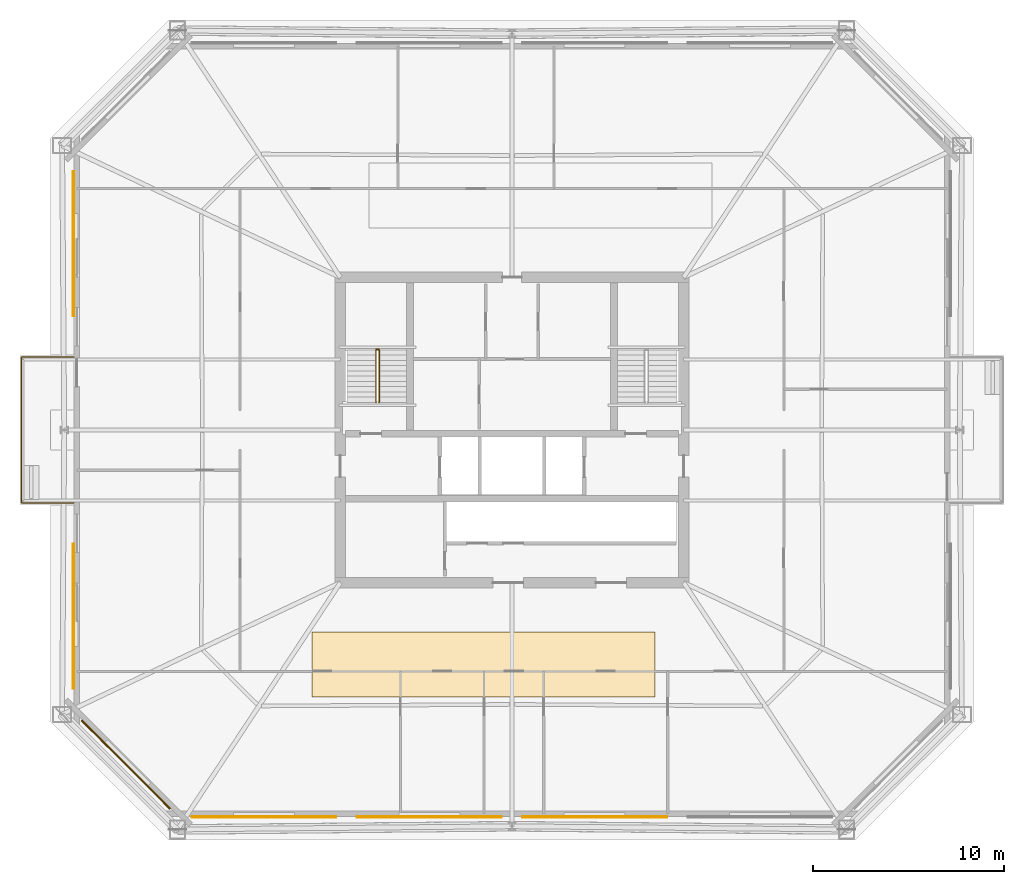
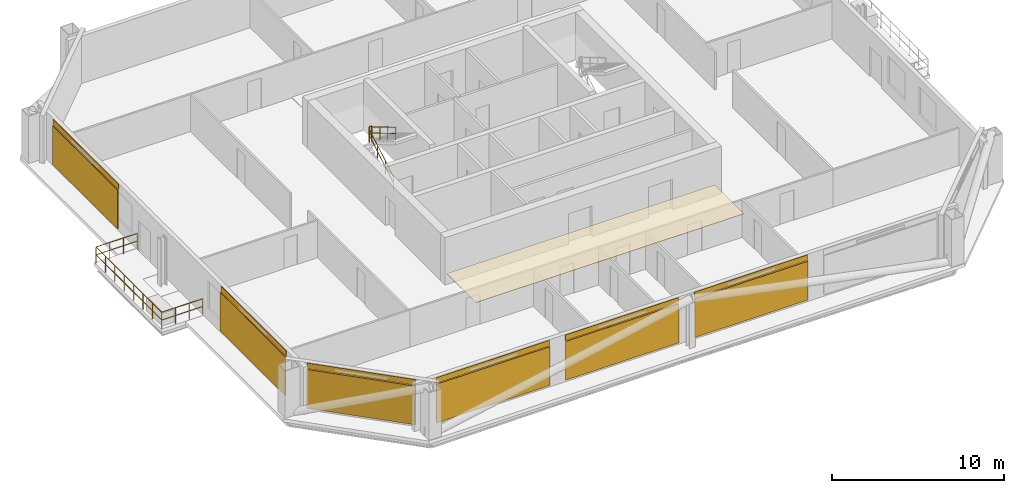
# One storey, part 6 of 8: 7 coverings, 6 shading devices, 4 railings.
"""IFC4 building model written with IfcOpenShell, lengths in metres."""

from ifc_helpers import new_model, si_unit, direction, frame, origin, origin_2d, place, context, subcontext, project, spatial, polyline, rectangle, circle, outline, extrude, material, layer, layer_set, type_object, element, save


model = new_model("IFC4")

# Units and contexts
model_context = context("Model", 3, precision=1e-05, world=origin(), true_north=direction((0.0, 1.0)))
body_context = subcontext(model_context, "Body", "Model", "MODEL_VIEW")
ifc_project = project(units=[si_unit("LENGTHUNIT", "METRE"), si_unit("AREAUNIT", "SQUARE_METRE"), si_unit("VOLUMEUNIT", "CUBIC_METRE"), si_unit("PLANEANGLEUNIT", "RADIAN"), si_unit("MASSUNIT", "GRAM", prefix="KILO")], contexts=[model_context])

# Site, building, storey
site_placement = place(None, origin())
site = spatial("IfcSite", under=ifc_project, at=site_placement, CompositionType="ELEMENT")
building_placement = place(site_placement, origin())
building = spatial("IfcBuilding", under=site, at=building_placement, Name="Caelvoria Tower", CompositionType="ELEMENT")
storey_placement = place(building_placement, frame((0.0, 0.0, 138.39990234375)))
storey = spatial("IfcBuildingStorey", under=building, at=storey_placement, Name="L36", CompositionType="ELEMENT", Elevation=138.39990234375)

# Railing
ifc_material_1 = material(Name="Bronze Anodised Aluminium and Stainless Steel", Category="steel")
railing_type_1 = type_object("IfcRailingType", Name="Exterior Terrace and Balcony Guardrail 1150", PredefinedType="GUARDRAIL", material=ifc_material_1)
railing_1_placement = place(storey_placement, frame((23.0400390625, 28.179931640625, 0.0)))
element("IfcRailing", 1, at=railing_1_placement, inside=storey, type_object=railing_type_1, Name="Tree Balcony Guardrail TB-L36-W", PredefinedType="GUARDRAIL", context=body_context, shape_type="SweptSolid", body=[
    extrude(circle(Radius=0.02392578125, at=origin_2d()), frame((0.0, 0.0, 1.1259765625), z_axis=(-1.0, 0.0, 0.0), x_axis=(0.0, -1.0, 0.0)), (0.0, 0.0, 1.0), 2.760009765625),
    extrude(circle(Radius=0.02392578125, at=origin_2d()), frame((0.0, 0.0, 0.574951171875), z_axis=(-1.0, 0.0, 0.0), x_axis=(0.0, -1.0, 0.0)), (0.0, 0.0, 1.0), 2.760009765625),
    extrude(circle(Radius=0.02392578125, at=origin_2d()), frame((-2.760009765625, 0.0, 1.1259765625), z_axis=(0.0, 1.0, 0.0), x_axis=(-1.0, 0.0, 0.0)), (0.0, 0.0, 1.0), 7.64013671875),
    extrude(circle(Radius=0.02392578125, at=origin_2d()), frame((-2.760009765625, 0.0, 0.574951171875), z_axis=(0.0, 1.0, 0.0), x_axis=(-1.0, 0.0, 0.0)), (0.0, 0.0, 1.0), 7.64013671875),
    extrude(circle(Radius=0.02392578125, at=origin_2d()), frame((-2.760009765625, 7.64013671875, 1.1259765625), z_axis=(1.0, 0.0, 0.0), x_axis=(0.0, 1.0, 0.0)), (0.0, 0.0, 1.0), 2.760009765625),
    extrude(circle(Radius=0.02392578125, at=origin_2d()), frame((-2.760009765625, 7.64013671875, 0.574951171875), z_axis=(1.0, 0.0, 0.0), x_axis=(0.0, 1.0, 0.0)), (0.0, 0.0, 1.0), 2.760009765625),
    extrude(circle(Radius=0.02099609375, at=origin_2d()), origin(), (0.0, 0.0, 1.0), 1.101806640625),
    extrude(circle(Radius=0.02099609375, at=origin_2d()), frame((-0.919921875, 0.0, 0.0)), (0.0, 0.0, 1.0), 1.101806640625),
    extrude(circle(Radius=0.02099609375, at=origin_2d()), frame((-1.840087890625, 0.0, 0.0)), (0.0, 0.0, 1.0), 1.101806640625),
    extrude(circle(Radius=0.02099609375, at=origin_2d()), frame((-2.760009765625, 0.0, 0.0)), (0.0, 0.0, 1.0), 1.101806640625),
    extrude(circle(Radius=0.02099609375, at=origin_2d()), frame((-2.760009765625, 1.091552734375, 0.0)), (0.0, 0.0, 1.0), 1.101806640625),
    extrude(circle(Radius=0.02099609375, at=origin_2d()), frame((-2.760009765625, 2.182861328125, 0.0)), (0.0, 0.0, 1.0), 1.101806640625),
    extrude(circle(Radius=0.02099609375, at=origin_2d()), frame((-2.760009765625, 3.2744140625, 0.0)), (0.0, 0.0, 1.0), 1.101806640625),
    extrude(circle(Radius=0.02099609375, at=origin_2d()), frame((-2.760009765625, 4.36572265625, 0.0)), (0.0, 0.0, 1.0), 1.101806640625),
    extrude(circle(Radius=0.02099609375, at=origin_2d()), frame((-2.760009765625, 5.457275390625, 0.0)), (0.0, 0.0, 1.0), 1.101806640625),
    extrude(circle(Radius=0.02099609375, at=origin_2d()), frame((-2.760009765625, 6.548583984375, 0.0)), (0.0, 0.0, 1.0), 1.101806640625),
    extrude(circle(Radius=0.02099609375, at=origin_2d()), frame((-2.760009765625, 7.64013671875, 0.0)), (0.0, 0.0, 1.0), 1.101806640625),
    extrude(circle(Radius=0.02099609375, at=origin_2d()), frame((-1.840087890625, 7.64013671875, 0.0)), (0.0, 0.0, 1.0), 1.101806640625),
    extrude(circle(Radius=0.02099609375, at=origin_2d()), frame((-0.919921875, 7.64013671875, 0.0)), (0.0, 0.0, 1.0), 1.101806640625),
    extrude(circle(Radius=0.02099609375, at=origin_2d()), frame((0.0, 7.64013671875, 0.0)), (0.0, 0.0, 1.0), 1.101806640625),
])

# Coverings
ifc_material_2 = material(Name="Acoustic Mineral Fibre Tile", Category="gypsum")
ifc_layer_1 = layer(ifc_material_2, 0.02490234375, Name="Acoustic Mineral Fibre Tile")
ifc_layer_set_1 = layer_set([ifc_layer_1], Name="Mineral-Fibre Acoustic Suspended Ceiling 25 - Acoustic Mineral Fibre Tile")
covering_type_1 = type_object("IfcCoveringType", Name="Mineral-Fibre Acoustic Suspended Ceiling 25", PredefinedType="CEILING", material=ifc_layer_set_1)
covering_1_placement = place(storey_placement, frame((0.0, 0.0, 2.635009765625)))
element("IfcCovering", 2, at=covering_1_placement, inside=storey, type_object=covering_type_1, Name="Suspended Acoustic Ceiling L36", PredefinedType="CEILING", context=body_context, shape_type="SweptSolid", body=[
    extrude(outline(polyline([(35.5, 18.0), (53.5, 18.0), (53.5, 21.39990234375), (35.5, 21.39990234375), (35.5, 18.0)])), origin(), (0.0, 0.0, 1.0), 0.025146484375),
])
ifc_material_3 = material(Name="Perforated Architectural Bronze Cladding Screen", Category="bronze")
ifc_layer_2 = layer(ifc_material_3, 0.0400390625, Name="Perforated Architectural Bronze Cladding Screen")
ifc_layer_set_2 = layer_set([ifc_layer_2], Name="Perforated Bronze Louvre Cladding Band 40 - Perforated Architectural Bronze Cladding Screen")
covering_type_2 = type_object("IfcCoveringType", Name="Perforated Bronze Louvre Cladding Band 40", PredefinedType="CLADDING", material=ifc_layer_set_2)
for number, where, z_axis, x_axis, name in (
    (3, (32.9951171875, 11.72802734375, 2.940185546875), (0.0, 0.0, 1.0), (1.0, 0.0, 0.0), "Perforated Bronze Screen Band L36-E0-00"),
    (4, (41.6650390625, 11.72802734375, 2.940185546875), (0.0, 0.0, 1.0), (1.0, 0.0, 0.0), "Perforated Bronze Screen Band L36-E0-01"),
    (5, (50.3349609375, 11.72802734375, 2.940185546875), (0.0, 0.0, 1.0), (1.0, 0.0, 0.0), "Perforated Bronze Screen Band L36-E0-02"),
    (6, (23.028076171875, 41.760009765625, 2.940185546875), (0.0, 0.0, 1.0), (0.0, -1.0, 0.0), "Perforated Bronze Screen Band L36-E6-00"),
    (7, (23.028076171875, 22.239990234375, 2.940185546875), (0.0, 0.0, 1.0), (0.0, -1.0, 0.0), "Perforated Bronze Screen Band L36-E6-02"),
):
    element("IfcCovering", number, at=place(storey_placement, frame(where, z_axis=z_axis, x_axis=x_axis)), inside=storey, type_object=covering_type_2, Name=name, PredefinedType="CLADDING", context=body_context, shape_type="SweptSolid", body=[
        extrude(rectangle(XDim=7.60009765625, YDim=0.0400390625, at=origin_2d()), origin(), (0.0, 0.0, 1.0), 0.39990234375),
    ])
covering_2_placement = place(storey_placement, frame((25.768310546875, 14.46826171875, 2.940185546875), z_axis=(0.0, 0.0, 1.0), x_axis=(0.707106781187, -0.707106781187, 0.0)))
element("IfcCovering", 8, at=covering_2_placement, inside=storey, type_object=covering_type_2, Name="Perforated Bronze Screen Band L36-E7-00", PredefinedType="CLADDING", context=body_context, shape_type="SweptSolid", body=[
    extrude(rectangle(XDim=6.55419921875, YDim=0.0400390625, at=origin_2d()), origin(), (0.0, 0.0, 1.0), 0.39990234375),
])

# Shading devices
ifc_material_4 = material(Name="Perforated Architectural Bronze Alloy Panel", Category="bronze")
ifc_layer_3 = layer(ifc_material_4, 0.044921875, Name="Perforated Architectural Bronze Alloy Panel")
ifc_layer_set_3 = layer_set([ifc_layer_3], Name="Perforated Bronze Solar Screen Panel SCREEN - Perforated Architectural Bronze Alloy Panel")
shading_device_type = type_object("IfcShadingDeviceType", Name="Perforated Bronze Solar Screen Panel SCREEN", PredefinedType="USERDEFINED", material=ifc_layer_set_3)
for number, where, z_axis, x_axis, name in (
    (9, (32.9951171875, 11.68505859375, 0.16015625), (0.0, 0.0, 1.0), (1.0, 0.0, 0.0), "Perforated Bronze Solar Screen L36-E0-00"),
    (10, (41.6650390625, 11.68505859375, 0.16015625), (0.0, 0.0, 1.0), (1.0, 0.0, 0.0), "Perforated Bronze Solar Screen L36-E0-01"),
    (11, (50.3349609375, 11.68505859375, 0.16015625), (0.0, 0.0, 1.0), (1.0, 0.0, 0.0), "Perforated Bronze Solar Screen L36-E0-02"),
    (12, (22.985107421875, 41.760009765625, 0.16015625), (0.0, 0.0, 1.0), (0.0, -1.0, 0.0), "Perforated Bronze Solar Screen L36-E6-00"),
    (13, (22.985107421875, 22.239990234375, 0.16015625), (0.0, 0.0, 1.0), (0.0, -1.0, 0.0), "Perforated Bronze Solar Screen L36-E6-02"),
):
    element("IfcShadingDevice", number, at=place(storey_placement, frame(where, z_axis=z_axis, x_axis=x_axis)), inside=storey, type_object=shading_device_type, Name=name, ObjectType="SCREEN", PredefinedType="USERDEFINED", context=body_context, shape_type="SweptSolid", body=[
        extrude(rectangle(XDim=7.60009765625, YDim=0.044921875, at=origin_2d()), origin(), (0.0, 0.0, 1.0), 2.75),
    ])
shading_device_placement = place(storey_placement, frame((25.73779296875, 14.43798828125, 0.16015625), z_axis=(0.0, 0.0, 1.0), x_axis=(0.707106781187, -0.707106781187, 0.0)))
element("IfcShadingDevice", 14, at=shading_device_placement, inside=storey, type_object=shading_device_type, Name="Perforated Bronze Solar Screen L36-E7-00", ObjectType="SCREEN", PredefinedType="USERDEFINED", context=body_context, shape_type="SweptSolid", body=[
    extrude(rectangle(XDim=6.55419921875, YDim=0.044921875, at=origin_2d()), origin(), (0.0, 0.0, 1.0), 2.75),
])

# Railings
ifc_material_5 = material(Name="Brushed Stainless Steel Tube", Category="steel")
railing_type_2 = type_object("IfcRailingType", Name="Stair Tubular Stainless Handrail 920", PredefinedType="HANDRAIL", material=ifc_material_5)
railing_2_placement = place(storey_placement, frame((38.8701171875, 33.449951171875, 0.163818359375)))
element("IfcRailing", 15, at=railing_2_placement, inside=storey, type_object=railing_type_2, Name="ST-01 Flight 1 Handrail L36", PredefinedType="HANDRAIL", context=body_context, shape_type="SweptSolid", body=[
    extrude(circle(Radius=0.02392578125, at=origin_2d()), frame((0.0, 0.0, 0.89599609375), z_axis=(0.0, 0.859385484447, 0.511328259656), x_axis=(-1.0, 0.0, 0.0)), (0.0, 0.0, 1.0), 3.199951171875),
    extrude(circle(Radius=0.02392578125, at=origin_2d()), frame((0.0, 0.0, 0.4599609375), z_axis=(0.0, 0.859385484447, 0.511328259656), x_axis=(-1.0, 0.0, 0.0)), (0.0, 0.0, 1.0), 3.199951171875),
    extrude(circle(Radius=0.02099609375, at=origin_2d()), origin(), (0.0, 0.0, 1.0), 0.871826171875),
    extrude(circle(Radius=0.02099609375, at=origin_2d()), frame((0.0, 0.916748046875, 0.54541015625)), (0.0, 0.0, 1.0), 0.871826171875),
    extrude(circle(Radius=0.02099609375, at=origin_2d()), frame((0.0, 1.833251953125, 1.0908203125)), (0.0, 0.0, 1.0), 0.871826171875),
    extrude(circle(Radius=0.02099609375, at=origin_2d()), frame((0.0, 2.75, 1.63623046875)), (0.0, 0.0, 1.0), 0.871826171875),
])
railing_3_placement = place(storey_placement, frame((39.030029296875, 36.199951171875, 1.963623046875)))
element("IfcRailing", 16, at=railing_3_placement, inside=storey, type_object=railing_type_2, Name="ST-01 Flight 2 Handrail L36", PredefinedType="HANDRAIL", context=body_context, shape_type="SweptSolid", body=[
    extrude(circle(Radius=0.02392578125, at=origin_2d()), frame((0.0, 0.0, 0.89599609375), z_axis=(0.0, -0.859351957796, 0.511384603436), x_axis=(1.0, 0.0, 0.0)), (0.0, 0.0, 1.0), 3.2001953125),
    extrude(circle(Radius=0.02392578125, at=origin_2d()), frame((0.0, 0.0, 0.4599609375), z_axis=(0.0, -0.859351957796, 0.511384603436), x_axis=(1.0, 0.0, 0.0)), (0.0, 0.0, 1.0), 3.2001953125),
    extrude(circle(Radius=0.02099609375, at=origin_2d()), origin(), (0.0, 0.0, 1.0), 0.871826171875),
    extrude(circle(Radius=0.02099609375, at=origin_2d()), frame((0.0, -0.916748046875, 0.54541015625)), (0.0, 0.0, 1.0), 0.871826171875),
    extrude(circle(Radius=0.02099609375, at=origin_2d()), frame((0.0, -1.833251953125, 1.091064453125)), (0.0, 0.0, 1.0), 0.871826171875),
    extrude(circle(Radius=0.02099609375, at=origin_2d()), frame((0.0, -2.75, 1.636474609375)), (0.0, 0.0, 1.0), 0.871826171875),
])
ifc_material_6 = material(Name="Brushed Stainless Steel Guardrail", Category="steel")
railing_type_3 = type_object("IfcRailingType", Name="Stair Well and Ramp Guardrail 1120", PredefinedType="GUARDRAIL", material=ifc_material_6)
railing_4_placement = place(storey_placement, frame((38.8701171875, 36.239990234375, 1.800048828125)))
element("IfcRailing", 17, at=railing_4_placement, inside=storey, type_object=railing_type_3, Name="ST-01 Half-Landing Well Guard L36", PredefinedType="GUARDRAIL", context=body_context, shape_type="SweptSolid", body=[
    extrude(circle(Radius=0.02392578125, at=origin_2d()), frame((0.0, 0.0, 1.09619140625), z_axis=(1.0, 0.0, 0.0), x_axis=(0.0, 1.0, 0.0)), (0.0, 0.0, 1.0), 0.159912109375),
    extrude(circle(Radius=0.02392578125, at=origin_2d()), frame((0.0, 0.0, 0.56005859375), z_axis=(1.0, 0.0, 0.0), x_axis=(0.0, 1.0, 0.0)), (0.0, 0.0, 1.0), 0.159912109375),
    extrude(circle(Radius=0.02099609375, at=origin_2d()), origin(), (0.0, 0.0, 1.0), 1.072021484375),
    extrude(circle(Radius=0.02099609375, at=origin_2d()), frame((0.159912109375, 0.0, 0.0)), (0.0, 0.0, 1.0), 1.072021484375),
])

save(model, "model.ifc")
